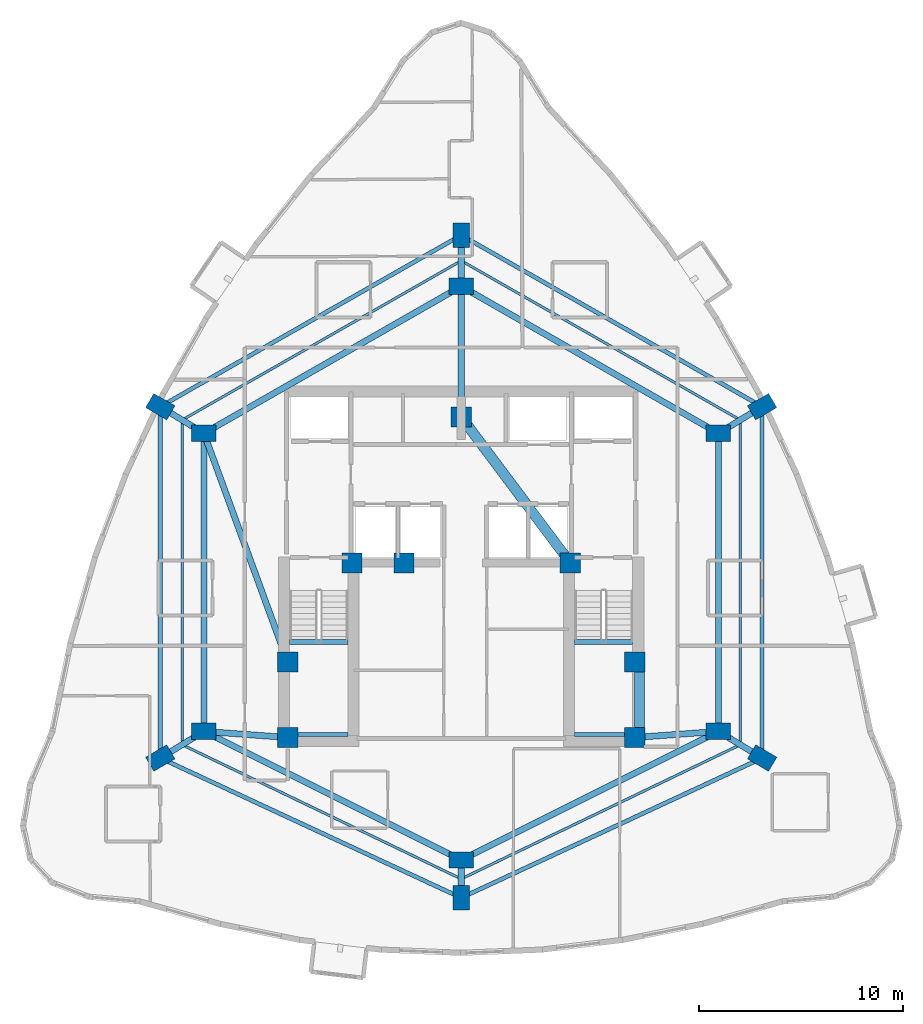
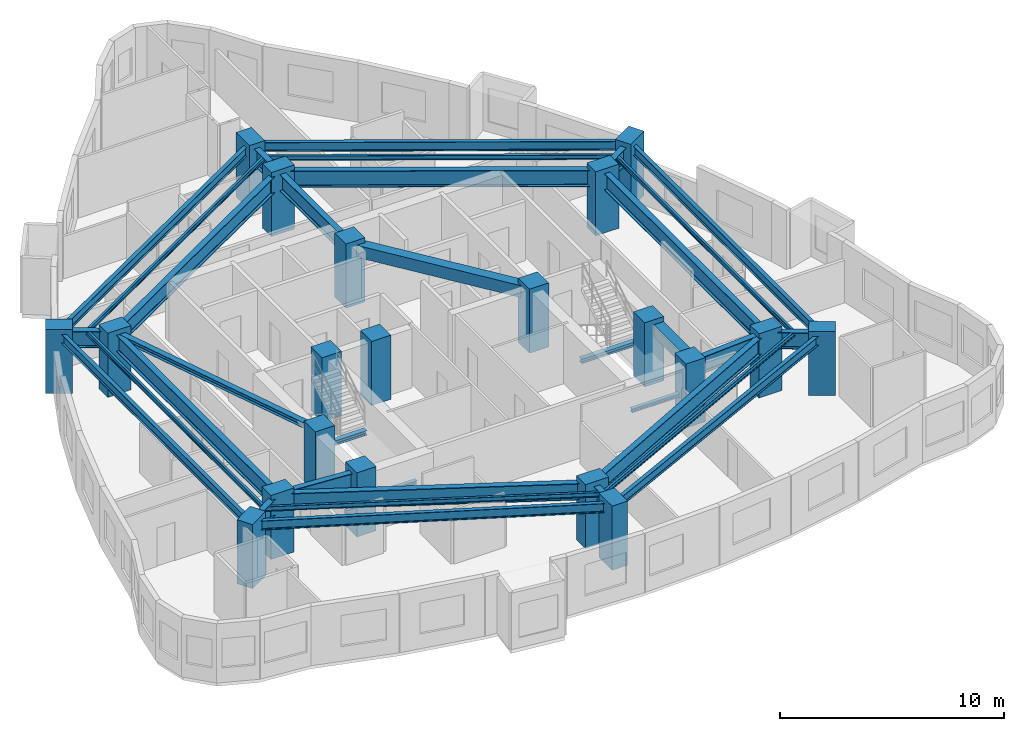
# One storey, part 1 of 11: 34 beams, 20 columns.
"""IFC4 building model written with IfcOpenShell, lengths in metres."""

import ifcopenshell
import ifcopenshell.guid

model = None  # the IFC model being written
_history = None  # IfcOwnerHistory: only IFC2X3 demands one
_inside = {}  # id of a spatial element -> (the spatial element, [elements in it])
_under = {}  # id of a project, library or spatial element -> (it, [spatial elements below it])
_declared = {}  # id of a project -> (the project, [libraries it declares])
_typed = {}  # id of a type object -> (the type object, [elements of that type])
_made_of = {}  # id of a material, layer set ... -> (it, [elements and type objects made of it])


def new_model(schema):
    """Start an empty IFC model of exactly this schema.

    Asked for "IFC4X3", IfcOpenShell would pick the latest addendum, in which some entities
    have other attributes; the version numbers below select the first issue.
    IFC2X3 requires an IfcOwnerHistory on every rooted entity: one is made here for all.
    """
    global model, _history
    if schema == "IFC4X3":
        model = ifcopenshell.file(schema_version=(4, 3, 0, 0))
    else:
        model = ifcopenshell.file(schema=schema)
    _inside.clear()
    _under.clear()
    _declared.clear()
    _typed.clear()
    _made_of.clear()
    _history = None
    if model.schema == "IFC2X3":
        org = make("IfcOrganization", Name="unknown")
        user = make(
            "IfcPersonAndOrganization",
            ThePerson=make("IfcPerson", FamilyName="unknown"),
            TheOrganization=org,
        )
        app = make(
            "IfcApplication",
            ApplicationDeveloper=org,
            Version="unknown",
            ApplicationFullName="unknown",
            ApplicationIdentifier="unknown",
        )
        _history = make(
            "IfcOwnerHistory",
            OwningUser=user,
            OwningApplication=app,
            ChangeAction="ADDED",
            CreationDate=0,
        )
    return model


def make(cls, **values):
    """One entity of the class cls with the attributes given. An attribute that is None is left unset."""
    return model.create_entity(
        cls, **{name: value for name, value in values.items() if value is not None}
    )


def rooted(cls, **values):
    """An entity with a GlobalId (a new one), such as an element, a storey or a relation."""
    return make(cls, GlobalId=ifcopenshell.guid.new(), OwnerHistory=_history, **values)


def si_unit(unit_type, name, prefix=None):
    """IfcSIUnit, for example si_unit("LENGTHUNIT", "METRE", prefix="MILLI")."""
    return make("IfcSIUnit", UnitType=unit_type, Prefix=prefix, Name=name)


def assignment(units):
    """IfcUnitAssignment: the units of a project."""
    return None if units is None else make("IfcUnitAssignment", Units=units)


def point(xyz):
    """IfcCartesianPoint."""
    return None if xyz is None else make("IfcCartesianPoint", Coordinates=xyz)


def direction(xyz):
    """IfcDirection."""
    return None if xyz is None else make("IfcDirection", DirectionRatios=xyz)


def frame(location, z_axis=None, x_axis=None):
    """IfcAxis2Placement3D, a coordinate frame: its origin and axes. An axis left out is left unset."""
    return make(
        "IfcAxis2Placement3D",
        Location=point(location),
        Axis=direction(z_axis),
        RefDirection=direction(x_axis),
    )


def frame_2d(location, x_axis=None):
    """IfcAxis2Placement2D, a coordinate frame in the plane: its origin and x axis."""
    return make(
        "IfcAxis2Placement2D", Location=point(location), RefDirection=direction(x_axis)
    )


def origin():
    """The frame at (0, 0, 0) with its axes left unset."""
    return frame((0.0, 0.0, 0.0))


def origin_2d():
    """The frame at (0, 0) in the plane with its x axis left unset."""
    return frame_2d((0.0, 0.0))


def place(relative_to, where):
    """IfcLocalPlacement: puts the frame where relative to a parent placement (None: the world)."""
    return make(
        "IfcLocalPlacement", PlacementRelTo=relative_to, RelativePlacement=where
    )


def context(
    kind, dimensions, precision=None, world=None, true_north=None, identifier=None
):
    """IfcGeometricRepresentationContext, for example the 3D "Model" context."""
    return make(
        "IfcGeometricRepresentationContext",
        ContextIdentifier=identifier,
        ContextType=kind,
        CoordinateSpaceDimension=dimensions,
        Precision=precision,
        WorldCoordinateSystem=world,
        TrueNorth=true_north,
    )


def subcontext(parent, identifier, kind, view, scale=None):
    """IfcGeometricRepresentationSubContext, for example "Body" below "Model"."""
    return make(
        "IfcGeometricRepresentationSubContext",
        ContextIdentifier=identifier,
        ContextType=kind,
        ParentContext=parent,
        TargetScale=scale,
        TargetView=view,
    )


def project(units=None, contexts=None):
    """IfcProject with its units and contexts."""
    return rooted(
        "IfcProject",
        Name="project",
        RepresentationContexts=contexts,
        UnitsInContext=assignment(units),
    )


def spatial(cls, under=None, at=None, **own):
    """A site, building, storey or space (cls), placed at a placement, below another one or the project."""
    s = rooted(cls, ObjectPlacement=at, **own)
    if under is not None:
        _under.setdefault(under.id(), (under, []))[1].append(s)
    return s


def profile(cls, at=None, kind="AREA", **sizes):
    """A parametric profile (cls). Its sizes go by their IFC names, for example OverallWidth=200.0."""
    return make(cls, ProfileType=kind, Position=at, **sizes)


def rectangle(**sizes):
    """IfcRectangleProfileDef."""
    return profile("IfcRectangleProfileDef", **sizes)


def i_section(**sizes):
    """IfcIShapeProfileDef."""
    return profile("IfcIShapeProfileDef", **sizes)


def extrude(swept, where, along, depth):
    """IfcExtrudedAreaSolid: the profile swept, set in the frame where, extruded along a direction by depth."""
    return make(
        "IfcExtrudedAreaSolid",
        SweptArea=swept,
        Position=where,
        ExtrudedDirection=direction(along),
        Depth=depth,
    )


def shape(context_of_items, identifier, shape_type, items):
    """IfcShapeRepresentation: the items that make up one representation, for example the "Body"."""
    return make(
        "IfcShapeRepresentation",
        ContextOfItems=context_of_items,
        RepresentationIdentifier=identifier,
        RepresentationType=shape_type,
        Items=items,
    )


def material(Name=None, Category=None):
    """IfcMaterial."""
    return make("IfcMaterial", Name=Name, Category=Category)


def material_profile(
    of_material, cross_section, Name=None, Category=None, Priority=None
):
    """IfcMaterialProfile: a cross section and its material."""
    return make(
        "IfcMaterialProfile",
        Name=Name,
        Material=of_material,
        Profile=cross_section,
        Priority=Priority,
        Category=Category,
    )


def profile_set(profiles, Name=None, composite=None):
    """IfcMaterialProfileSet."""
    return make(
        "IfcMaterialProfileSet",
        Name=Name,
        MaterialProfiles=profiles,
        CompositeProfile=composite,
    )


def made_of(thing, what):
    """Note that an element or type object is made of a material, layer set ...; save() writes the relation."""
    if what is not None:
        _made_of.setdefault(what.id(), (what, []))[1].append(thing)
    return thing


def type_object(cls, material=None, **own):
    """A type object (cls), such as IfcWallType, which elements share."""
    return made_of(rooted(cls, **own), material)


def element(
    cls,
    number,
    at=None,
    inside=None,
    cuts=None,
    type_object=None,
    material=None,
    context=None,
    identifier="Body",
    shape_type=None,
    held_by="IfcProductDefinitionShape",
    body=None,
    shapes=None,
    **own,
):
    """One element of the class cls, such as IfcWall. Its Tag is "e" and its number.

    at: its placement. inside: the storey or other place that contains it. cuts: it is an
    opening in that element (IfcRelVoidsElement). A single representation is given by context,
    identifier, shape_type and body (its items); several are given by shapes. held_by: the class
    of the entity that holds the representations. save() writes the other relations.
    """
    e = rooted(cls, Tag="e%d" % number, ObjectPlacement=at, **own)
    if body is not None:
        shapes = [shape(context, identifier, shape_type, body)]
    if shapes is not None:
        e.Representation = make(held_by, Representations=shapes)
    if inside is not None:
        _inside.setdefault(inside.id(), (inside, []))[1].append(e)
    if cuts is not None:
        rooted(
            "IfcRelVoidsElement", RelatingBuildingElement=cuts, RelatedOpeningElement=e
        )
    if type_object is not None:
        _typed.setdefault(type_object.id(), (type_object, []))[1].append(e)
    return made_of(e, material)


def aggregate(whole, parts):
    """IfcRelAggregates: a whole, such as a stair, and the parts it consists of."""
    return rooted("IfcRelAggregates", RelatingObject=whole, RelatedObjects=parts)


def save(model, path):
    """Write the relations noted so far, then the file.

    IfcRelAggregates (storeys below a building ...), IfcRelContainedInSpatialStructure (elements
    in a storey), IfcRelDefinesByType, IfcRelAssociatesMaterial and IfcRelDeclares: one each for
    every whole, place, type object, material and project.
    """
    for whole, parts in _under.values():
        aggregate(whole, parts)
    for where, things in _inside.values():
        rooted(
            "IfcRelContainedInSpatialStructure",
            RelatedElements=things,
            RelatingStructure=where,
        )
    for kind, things in _typed.values():
        rooted("IfcRelDefinesByType", RelatedObjects=things, RelatingType=kind)
    for what, things in _made_of.values():
        rooted("IfcRelAssociatesMaterial", RelatedObjects=things, RelatingMaterial=what)
    for by, libraries in _declared.values():
        rooted("IfcRelDeclares", RelatingContext=by, RelatedDefinitions=libraries)
    model.write(path)


model = new_model("IFC4")

# Units and contexts
model_context = context("Model", 3, precision=1e-05, world=origin(), true_north=direction((0.0, 1.0)))
body_context = subcontext(model_context, "Body", "Model", "MODEL_VIEW")
ifc_project = project(units=[si_unit("LENGTHUNIT", "METRE"), si_unit("AREAUNIT", "SQUARE_METRE"), si_unit("VOLUMEUNIT", "CUBIC_METRE"), si_unit("PLANEANGLEUNIT", "RADIAN"), si_unit("MASSUNIT", "GRAM", prefix="KILO")], contexts=[model_context])

# Site, building, storey
site_placement = place(None, origin())
site = spatial("IfcSite", under=ifc_project, at=site_placement, CompositionType="ELEMENT")
building_placement = place(site_placement, origin())
building = spatial("IfcBuilding", under=site, at=building_placement, Name="Miruveldt Soraemaru", CompositionType="ELEMENT")
storey_placement = place(building_placement, frame((0.0, 0.0, 152.89990234375)))
storey = spatial("IfcBuildingStorey", under=building, at=storey_placement, Name="L42", CompositionType="ELEMENT", Elevation=152.89990234375)

# Columns
ifc_material_1 = material(Name="Concrete C60/75 (60 MPa)", Category="concrete")
ifc_material_profile_1 = material_profile(ifc_material_1, rectangle(XDim=1.0, YDim=1.0, at=origin_2d()), Name="Concrete C60/75 (60 MPa)", Category="concrete")
ifc_profile_set_1 = profile_set([ifc_material_profile_1], Name="Concrete C60/75 (60 MPa)")
column_type_1 = type_object("IfcColumnType", Name="COL-CORE-1000", PredefinedType="COLUMN", material=ifc_profile_set_1)
for number, where, z_axis, x_axis, name in (
    (1, (35.5, 35.5, 0.0), (0.0, 0.0, 1.0), (1.0, 0.0, 0.0), "L42 Structural Column CC1"),
    (2, (38.64990234375, 44.050048828125, 0.0), (0.0, 0.0, 1.0), (1.0, 0.0, 0.0), "L42 Structural Column CC2"),
    (3, (52.5, 35.5, 0.0), (0.0, 0.0, 1.0), (1.0, 0.0, 0.0), "L42 Structural Column CC3"),
    (4, (52.5, 39.199951171875, 0.0), (0.0, 0.0, 1.0), (1.0, 0.0, 0.0), "L42 Structural Column CC4"),
    (5, (49.35009765625, 44.050048828125, 0.0), (0.0, 0.0, 1.0), (1.0, 0.0, 0.0), "L42 Structural Column CC5"),
    (6, (44.0, 51.199951171875, 0.0), (0.0, 0.0, 1.0), (1.0, 0.0, 0.0), "L42 Structural Column CC6"),
    (7, (35.5, 39.199951171875, 0.0), (0.0, 0.0, 1.0), (1.0, 0.0, 0.0), "L42 Structural Column CC7"),
    (8, (41.199951171875, 44.050048828125, 0.0), (0.0, 0.0, 1.0), (1.0, 0.0, 0.0), "L42 Structural Column CC8"),
):
    element("IfcColumn", number, at=place(storey_placement, frame(where, z_axis=z_axis, x_axis=x_axis)), inside=storey, type_object=column_type_1, Name=name, PredefinedType="COLUMN", context=body_context, shape_type="SweptSolid", body=[
        extrude(rectangle(XDim=1.0, YDim=1.0, at=origin_2d()), origin(), (0.0, 0.0, 1.0), 3.5),
    ])
ifc_material_2 = material(Name="Concrete C70/85 (70 MPa)", Category="concrete")
ifc_material_profile_2 = material_profile(ifc_material_2, rectangle(XDim=1.199951171875, YDim=0.800048828125, at=origin_2d()), Name="Concrete C70/85 (70 MPa)", Category="concrete")
ifc_profile_set_2 = profile_set([ifc_material_profile_2], Name="Concrete C70/85 (70 MPa)")
column_type_2 = type_object("IfcColumnType", Name="COL-TW-Z2", PredefinedType="COLUMN", material=ifc_profile_set_2)
for number, where, z_axis, x_axis, name in (
    (9, (44.0, 57.60009765625, 0.0), (0.0, 0.0, 1.0), (1.0, 0.0, 0.0), "L42 Structural Column IR01"),
    (10, (56.60009765625, 50.39990234375, 0.0), (0.0, 0.0, 1.0), (1.0, 0.0, 0.0), "L42 Structural Column IR02"),
    (11, (56.60009765625, 35.800048828125, 0.0), (0.0, 0.0, 1.0), (1.0, 0.0, 0.0), "L42 Structural Column IR03"),
    (12, (44.0, 29.5, 0.0), (0.0, 0.0, 1.0), (1.0, 0.0, 0.0), "L42 Structural Column IR04"),
    (13, (31.39990234375, 35.800048828125, 0.0), (0.0, 0.0, 1.0), (1.0, 0.0, 0.0), "L42 Structural Column IR05"),
    (14, (31.39990234375, 50.39990234375, 0.0), (0.0, 0.0, 1.0), (1.0, 0.0, 0.0), "L42 Structural Column IR06"),
    (15, (44.0, 60.10595703125, 0.0), (0.0, 0.0, 1.0), (0.0, 1.0, 0.0), "L42 Structural Column Z2P01"),
    (16, (58.739990234375, 51.705078125, 0.0), (0.0, 0.0, 1.0), (0.866025403784, 0.5, 0.0), "L42 Structural Column Z2P02"),
    (17, (58.739990234375, 34.4951171875, 0.0), (0.0, 0.0, 1.0), (-0.860742027004, 0.50904141575, 0.0), "L42 Structural Column Z2P03"),
    (18, (44.0, 27.64697265625, 0.0), (0.0, 0.0, 1.0), (0.0, 1.0, 0.0), "L42 Structural Column Z2P04"),
    (19, (29.260009765625, 34.4951171875, 0.0), (0.0, 0.0, 1.0), (0.860742027004, 0.50904141575, 0.0), "L42 Structural Column Z2P05"),
    (20, (29.260009765625, 51.705078125, 0.0), (0.0, 0.0, 1.0), (-0.866025403784, 0.5, 0.0), "L42 Structural Column Z2P06"),
):
    element("IfcColumn", number, at=place(storey_placement, frame(where, z_axis=z_axis, x_axis=x_axis)), inside=storey, type_object=column_type_2, Name=name, PredefinedType="COLUMN", context=body_context, shape_type="SweptSolid", body=[
        extrude(rectangle(XDim=1.199951171875, YDim=0.800048828125, at=origin_2d()), origin(), (0.0, 0.0, 1.0), 3.5),
    ])

# Beams
ifc_material_3 = material(Name="Steel SM355 (355 MPa)", Category="steel")
ifc_material_profile_3 = material_profile(ifc_material_3, i_section(OverallWidth=0.300048828125, OverallDepth=0.300048828125, WebThickness=0.010009765625, FlangeThickness=0.014892578125, FilletRadius=0.01806640625, at=origin_2d()), Name="Steel SM355 (355 MPa)", Category="steel")
ifc_profile_set_3 = profile_set([ifc_material_profile_3], Name="Steel SM355 (355 MPa)")
beam_type_1 = type_object("IfcBeamType", Name="BM-LNT-H300", PredefinedType="LINTEL", material=ifc_profile_set_3)
beam_1_placement = place(storey_placement, frame((31.39990234375, 50.39990234375, 3.085205078125), z_axis=(0.343770424598, -0.939053723262, 0.0), x_axis=(0.939053723262, 0.343770424598, 0.0)))
element("IfcBeam", 21, at=beam_1_placement, inside=storey, type_object=beam_type_1, Name="L42 West Lobby Lintel", PredefinedType="LINTEL", context=body_context, shape_type="SweptSolid", body=[
    extrude(i_section(OverallWidth=0.300048828125, OverallDepth=0.300048828125, WebThickness=0.010009765625, FlangeThickness=0.014892578125, FilletRadius=0.01806640625, at=origin_2d()), origin(), (0.0, 0.0, 1.0), 11.9267578125),
])
ifc_material_4 = material(Name="Concrete C50/60 (50 MPa)", Category="concrete")
ifc_material_profile_4 = material_profile(ifc_material_4, rectangle(XDim=0.5, YDim=0.64990234375, at=origin_2d()), Name="Concrete C50/60 (50 MPa)", Category="concrete")
ifc_profile_set_4 = profile_set([ifc_material_profile_4], Name="Concrete C50/60 (50 MPa)")
beam_type_2 = type_object("IfcBeamType", Name="BM-RC-500x650", PredefinedType="BEAM", material=ifc_profile_set_4)
beam_2_placement = place(storey_placement, frame((52.72998046875, 35.5, 2.91015625), z_axis=(0.0, 1.0, 0.0), x_axis=(-1.0, 0.0, 0.0)))
element("IfcBeam", 22, at=beam_2_placement, inside=storey, type_object=beam_type_2, Name="L42 Core Tie Beam 3", PredefinedType="BEAM", context=body_context, shape_type="SweptSolid", body=[
    extrude(rectangle(XDim=0.5, YDim=0.64990234375, at=origin_2d()), origin(), (0.0, 0.0, 1.0), 3.699951171875),
])
beam_3_placement = place(storey_placement, frame((49.35009765625, 44.050048828125, 2.91015625), z_axis=(-0.599116023999, 0.800662219533, 0.0), x_axis=(-0.800662219533, -0.599116023999, 0.0)))
element("IfcBeam", 23, at=beam_3_placement, inside=storey, type_object=beam_type_2, Name="L42 Core Tie Beam 5", PredefinedType="BEAM", context=body_context, shape_type="SweptSolid", body=[
    extrude(rectangle(XDim=0.5, YDim=0.64990234375, at=origin_2d()), origin(), (0.0, 0.0, 1.0), 8.929931640625),
])
ifc_material_profile_5 = material_profile(ifc_material_3, i_section(OverallWidth=0.125, OverallDepth=0.25, WebThickness=0.006103515625, FlangeThickness=0.009033203125, FilletRadius=0.011962890625, at=origin_2d()), Name="Steel SM355 (355 MPa)", Category="steel")
ifc_profile_set_5 = profile_set([ifc_material_profile_5], Name="Steel SM355 (355 MPa)")
beam_type_3 = type_object("IfcBeamType", Name="BM-ST-H250", PredefinedType="JOIST", material=ifc_profile_set_5)
beam_4_placement = place(storey_placement, frame((44.0, 58.85302734375, 3.110107421875), z_axis=(0.868539859756, -0.495619321672, 0.0), x_axis=(0.495619321672, 0.868539859756, 0.0)))
element("IfcBeam", 24, at=beam_4_placement, inside=storey, type_object=beam_type_3, Name="L42 Outer Bay Floor Joist 1", PredefinedType="JOIST", context=body_context, shape_type="SweptSolid", body=[
    extrude(i_section(OverallWidth=0.125, OverallDepth=0.25, WebThickness=0.006103515625, FlangeThickness=0.009033203125, FilletRadius=0.011962890625, at=origin_2d()), origin(), (0.0, 0.0, 1.0), 15.739013671875),
])
beam_5_placement = place(storey_placement, frame((57.669921875, 51.052490234375, 3.110107421875), z_axis=(0.0, -1.0, 0.0), x_axis=(1.0, 0.0, 0.0)))
element("IfcBeam", 25, at=beam_5_placement, inside=storey, type_object=beam_type_3, Name="L42 Outer Bay Floor Joist 2", PredefinedType="JOIST", context=body_context, shape_type="SweptSolid", body=[
    extrude(i_section(OverallWidth=0.125, OverallDepth=0.25, WebThickness=0.006103515625, FlangeThickness=0.009033203125, FilletRadius=0.011962890625, at=origin_2d()), origin(), (0.0, 0.0, 1.0), 15.905029296875),
])
for number, where, z_axis, x_axis, name in (
    (26, (57.669921875, 35.1474609375, 3.110107421875), (-0.901203586802, -0.433396002676, 0.0), (0.433396002676, -0.901203586802, 0.0), "L42 Outer Bay Floor Joist 3"),
    (27, (44.0, 28.573486328125, 3.110107421875), (-0.901203586802, 0.433396002676, 0.0), (-0.433396002676, -0.901203586802, 0.0), "L42 Outer Bay Floor Joist 4"),
):
    element("IfcBeam", number, at=place(storey_placement, frame(where, z_axis=z_axis, x_axis=x_axis)), inside=storey, type_object=beam_type_3, Name=name, PredefinedType="JOIST", context=body_context, shape_type="SweptSolid", body=[
        extrude(i_section(OverallWidth=0.125, OverallDepth=0.25, WebThickness=0.006103515625, FlangeThickness=0.009033203125, FilletRadius=0.011962890625, at=origin_2d()), origin(), (0.0, 0.0, 1.0), 15.16845703125),
    ])
beam_6_placement = place(storey_placement, frame((30.330078125, 35.1474609375, 3.110107421875), z_axis=(0.0, 1.0, 0.0), x_axis=(-1.0, 0.0, 0.0)))
element("IfcBeam", 28, at=beam_6_placement, inside=storey, type_object=beam_type_3, Name="L42 Outer Bay Floor Joist 5", PredefinedType="JOIST", context=body_context, shape_type="SweptSolid", body=[
    extrude(i_section(OverallWidth=0.125, OverallDepth=0.25, WebThickness=0.006103515625, FlangeThickness=0.009033203125, FilletRadius=0.011962890625, at=origin_2d()), origin(), (0.0, 0.0, 1.0), 15.905029296875),
])
beam_7_placement = place(storey_placement, frame((30.330078125, 51.052490234375, 3.110107421875), z_axis=(0.868539859756, 0.495619321672, 0.0), x_axis=(-0.495619321672, 0.868539859756, 0.0)))
element("IfcBeam", 29, at=beam_7_placement, inside=storey, type_object=beam_type_3, Name="L42 Outer Bay Floor Joist 6", PredefinedType="JOIST", context=body_context, shape_type="SweptSolid", body=[
    extrude(i_section(OverallWidth=0.125, OverallDepth=0.25, WebThickness=0.006103515625, FlangeThickness=0.009033203125, FilletRadius=0.011962890625, at=origin_2d()), origin(), (0.0, 0.0, 1.0), 15.739013671875),
])
ifc_material_profile_6 = material_profile(ifc_material_3, i_section(OverallWidth=0.199951171875, OverallDepth=0.5, WebThickness=0.010009765625, FlangeThickness=0.01611328125, FilletRadius=0.02001953125, at=origin_2d()), Name="Steel SM355 (355 MPa)", Category="steel")
ifc_profile_set_6 = profile_set([ifc_material_profile_6], Name="Steel SM355 (355 MPa)")
beam_type_4 = type_object("IfcBeamType", Name="BM-ST-H500", PredefinedType="SPANDREL", material=ifc_profile_set_6)
beam_8_placement = place(storey_placement, frame((44.0, 60.10595703125, 2.985107421875), z_axis=(0.86880048516, -0.495162313778, 0.0), x_axis=(0.495162313778, 0.86880048516, 0.0)))
element("IfcBeam", 30, at=beam_8_placement, inside=storey, type_object=beam_type_4, Name="L42 Zone-2 Spandrel Beam 1", PredefinedType="SPANDREL", context=body_context, shape_type="SweptSolid", body=[
    extrude(i_section(OverallWidth=0.199951171875, OverallDepth=0.5, WebThickness=0.010009765625, FlangeThickness=0.01611328125, FilletRadius=0.02001953125, at=origin_2d()), origin(), (0.0, 0.0, 1.0), 16.9658203125),
])
beam_9_placement = place(storey_placement, frame((58.739990234375, 51.705078125, 2.985107421875), z_axis=(0.0, -1.0, 0.0), x_axis=(1.0, 0.0, 0.0)))
element("IfcBeam", 31, at=beam_9_placement, inside=storey, type_object=beam_type_4, Name="L42 Zone-2 Spandrel Beam 2", PredefinedType="SPANDREL", context=body_context, shape_type="SweptSolid", body=[
    extrude(i_section(OverallWidth=0.199951171875, OverallDepth=0.5, WebThickness=0.010009765625, FlangeThickness=0.01611328125, FilletRadius=0.02001953125, at=origin_2d()), origin(), (0.0, 0.0, 1.0), 17.2099609375),
])
for number, where, z_axis, x_axis, name in (
    (32, (58.739990234375, 34.4951171875, 2.985107421875), (-0.906901362829, -0.421342993414, 0.0), (0.421342993414, -0.906901362829, 0.0), "L42 Zone-2 Spandrel Beam 3"),
    (33, (44.0, 27.64697265625, 2.985107421875), (-0.906901362829, 0.421342993414, 0.0), (-0.421342993414, -0.906901362829, 0.0), "L42 Zone-2 Spandrel Beam 4"),
):
    element("IfcBeam", number, at=place(storey_placement, frame(where, z_axis=z_axis, x_axis=x_axis)), inside=storey, type_object=beam_type_4, Name=name, PredefinedType="SPANDREL", context=body_context, shape_type="SweptSolid", body=[
        extrude(i_section(OverallWidth=0.199951171875, OverallDepth=0.5, WebThickness=0.010009765625, FlangeThickness=0.01611328125, FilletRadius=0.02001953125, at=origin_2d()), origin(), (0.0, 0.0, 1.0), 16.253173828125),
    ])
beam_10_placement = place(storey_placement, frame((29.260009765625, 34.4951171875, 2.985107421875), z_axis=(0.0, 1.0, 0.0), x_axis=(-1.0, 0.0, 0.0)))
element("IfcBeam", 34, at=beam_10_placement, inside=storey, type_object=beam_type_4, Name="L42 Zone-2 Spandrel Beam 5", PredefinedType="SPANDREL", context=body_context, shape_type="SweptSolid", body=[
    extrude(i_section(OverallWidth=0.199951171875, OverallDepth=0.5, WebThickness=0.010009765625, FlangeThickness=0.01611328125, FilletRadius=0.02001953125, at=origin_2d()), origin(), (0.0, 0.0, 1.0), 17.2099609375),
])
beam_11_placement = place(storey_placement, frame((29.260009765625, 51.705078125, 2.985107421875), z_axis=(0.86880048516, 0.495162313778, 0.0), x_axis=(-0.495162313778, 0.86880048516, 0.0)))
element("IfcBeam", 35, at=beam_11_placement, inside=storey, type_object=beam_type_4, Name="L42 Zone-2 Spandrel Beam 6", PredefinedType="SPANDREL", context=body_context, shape_type="SweptSolid", body=[
    extrude(i_section(OverallWidth=0.199951171875, OverallDepth=0.5, WebThickness=0.010009765625, FlangeThickness=0.01611328125, FilletRadius=0.02001953125, at=origin_2d()), origin(), (0.0, 0.0, 1.0), 16.9658203125),
])
ifc_material_5 = material(Name="Steel S460 (460 MPa)", Category="steel")
ifc_material_profile_7 = material_profile(ifc_material_5, i_section(OverallWidth=0.300048828125, OverallDepth=0.89990234375, WebThickness=0.01611328125, FlangeThickness=0.028076171875, FilletRadius=0.028076171875, at=origin_2d()), Name="Steel S460 (460 MPa)", Category="steel")
ifc_profile_set_7 = profile_set([ifc_material_profile_7], Name="Steel S460 (460 MPa)")
beam_type_5 = type_object("IfcBeamType", Name="BM-ST-H900", PredefinedType="BEAM", material=ifc_profile_set_7)
beam_12_placement = place(storey_placement, frame((44.0, 57.60009765625, 2.78515625), z_axis=(0.868239001029, -0.496146185203, 0.0), x_axis=(0.496146185203, 0.868239001029, 0.0)))
element("IfcBeam", 36, at=beam_12_placement, inside=storey, type_object=beam_type_5, Name="L42 Inner Ring Girder 1", PredefinedType="BEAM", context=body_context, shape_type="SweptSolid", body=[
    extrude(i_section(OverallWidth=0.300048828125, OverallDepth=0.89990234375, WebThickness=0.01611328125, FlangeThickness=0.028076171875, FilletRadius=0.028076171875, at=origin_2d()), origin(), (0.0, 0.0, 1.0), 14.51220703125),
])
beam_13_placement = place(storey_placement, frame((44.0, 51.199951171875, 2.78515625), z_axis=(0.0, 1.0, 0.0), x_axis=(-1.0, 0.0, 0.0)))
element("IfcBeam", 37, at=beam_13_placement, inside=storey, type_object=beam_type_5, Name="L42 Core-to-Inner Radial Girder 1", PredefinedType="BEAM", context=body_context, shape_type="SweptSolid", body=[
    extrude(i_section(OverallWidth=0.300048828125, OverallDepth=0.89990234375, WebThickness=0.01611328125, FlangeThickness=0.028076171875, FilletRadius=0.028076171875, at=origin_2d()), origin(), (0.0, 0.0, 1.0), 6.400146484375),
])
beam_14_placement = place(storey_placement, frame((56.60009765625, 50.39990234375, 2.78515625), z_axis=(0.0, -1.0, 0.0), x_axis=(1.0, 0.0, 0.0)))
element("IfcBeam", 38, at=beam_14_placement, inside=storey, type_object=beam_type_5, Name="L42 Inner Ring Girder 2", PredefinedType="BEAM", context=body_context, shape_type="SweptSolid", body=[
    extrude(i_section(OverallWidth=0.300048828125, OverallDepth=0.89990234375, WebThickness=0.01611328125, FlangeThickness=0.028076171875, FilletRadius=0.028076171875, at=origin_2d()), origin(), (0.0, 0.0, 1.0), 14.599853515625),
])
beam_15_placement = place(storey_placement, frame((56.60009765625, 35.800048828125, 2.78515625), z_axis=(-0.894427191, -0.4472135955, 0.0), x_axis=(0.4472135955, -0.894427191, 0.0)))
element("IfcBeam", 39, at=beam_15_placement, inside=storey, type_object=beam_type_5, Name="L42 Inner Ring Girder 3", PredefinedType="BEAM", context=body_context, shape_type="SweptSolid", body=[
    extrude(i_section(OverallWidth=0.300048828125, OverallDepth=0.89990234375, WebThickness=0.01611328125, FlangeThickness=0.028076171875, FilletRadius=0.028076171875, at=origin_2d()), origin(), (0.0, 0.0, 1.0), 14.08740234375),
])
beam_16_placement = place(storey_placement, frame((52.5, 35.5, 2.78515625), z_axis=(0.997332985605, 0.072985723431, 0.0), x_axis=(-0.072985723431, 0.997332985605, 0.0)))
element("IfcBeam", 40, at=beam_16_placement, inside=storey, type_object=beam_type_5, Name="L42 Core-to-Inner Radial Girder 3", PredefinedType="BEAM", context=body_context, shape_type="SweptSolid", body=[
    extrude(i_section(OverallWidth=0.300048828125, OverallDepth=0.89990234375, WebThickness=0.01611328125, FlangeThickness=0.028076171875, FilletRadius=0.028076171875, at=origin_2d()), origin(), (0.0, 0.0, 1.0), 4.111083984375),
])
beam_17_placement = place(storey_placement, frame((44.0, 29.5, 2.78515625), z_axis=(-0.894427191, 0.4472135955, 0.0), x_axis=(-0.4472135955, -0.894427191, 0.0)))
element("IfcBeam", 41, at=beam_17_placement, inside=storey, type_object=beam_type_5, Name="L42 Inner Ring Girder 4", PredefinedType="BEAM", context=body_context, shape_type="SweptSolid", body=[
    extrude(i_section(OverallWidth=0.300048828125, OverallDepth=0.89990234375, WebThickness=0.01611328125, FlangeThickness=0.028076171875, FilletRadius=0.028076171875, at=origin_2d()), origin(), (0.0, 0.0, 1.0), 14.08740234375),
])
beam_18_placement = place(storey_placement, frame((31.39990234375, 35.800048828125, 2.78515625), z_axis=(0.0, 1.0, 0.0), x_axis=(-1.0, 0.0, 0.0)))
element("IfcBeam", 42, at=beam_18_placement, inside=storey, type_object=beam_type_5, Name="L42 Inner Ring Girder 5", PredefinedType="BEAM", context=body_context, shape_type="SweptSolid", body=[
    extrude(i_section(OverallWidth=0.300048828125, OverallDepth=0.89990234375, WebThickness=0.01611328125, FlangeThickness=0.028076171875, FilletRadius=0.028076171875, at=origin_2d()), origin(), (0.0, 0.0, 1.0), 14.599853515625),
])
beam_19_placement = place(storey_placement, frame((35.5, 35.5, 2.78515625), z_axis=(-0.997332985605, 0.072985723431, 0.0), x_axis=(-0.072985723431, -0.997332985605, 0.0)))
element("IfcBeam", 43, at=beam_19_placement, inside=storey, type_object=beam_type_5, Name="L42 Core-to-Inner Radial Girder 5", PredefinedType="BEAM", context=body_context, shape_type="SweptSolid", body=[
    extrude(i_section(OverallWidth=0.300048828125, OverallDepth=0.89990234375, WebThickness=0.01611328125, FlangeThickness=0.028076171875, FilletRadius=0.028076171875, at=origin_2d()), origin(), (0.0, 0.0, 1.0), 4.111083984375),
])
beam_20_placement = place(storey_placement, frame((31.39990234375, 50.39990234375, 2.78515625), z_axis=(0.868239001029, 0.496146185203, 0.0), x_axis=(-0.496146185203, 0.868239001029, 0.0)))
element("IfcBeam", 44, at=beam_20_placement, inside=storey, type_object=beam_type_5, Name="L42 Inner Ring Girder 6", PredefinedType="BEAM", context=body_context, shape_type="SweptSolid", body=[
    extrude(i_section(OverallWidth=0.300048828125, OverallDepth=0.89990234375, WebThickness=0.01611328125, FlangeThickness=0.028076171875, FilletRadius=0.028076171875, at=origin_2d()), origin(), (0.0, 0.0, 1.0), 14.51220703125),
])
beam_21_placement = place(storey_placement, frame((44.0, 57.60009765625, 2.78515625), z_axis=(0.0, 1.0, 0.0), x_axis=(-1.0, 0.0, 0.0)))
element("IfcBeam", 45, at=beam_21_placement, inside=storey, type_object=beam_type_5, Name="L42 Zone-2 Radial Girder 1", PredefinedType="BEAM", context=body_context, shape_type="SweptSolid", body=[
    extrude(i_section(OverallWidth=0.300048828125, OverallDepth=0.89990234375, WebThickness=0.01611328125, FlangeThickness=0.028076171875, FilletRadius=0.028076171875, at=origin_2d()), origin(), (0.0, 0.0, 1.0), 2.505859375),
])
beam_22_placement = place(storey_placement, frame((56.60009765625, 50.39990234375, 2.78515625), z_axis=(0.85373175529, 0.520713059188, 0.0), x_axis=(-0.520713059188, 0.85373175529, 0.0)))
element("IfcBeam", 46, at=beam_22_placement, inside=storey, type_object=beam_type_5, Name="L42 Zone-2 Radial Girder 2", PredefinedType="BEAM", context=body_context, shape_type="SweptSolid", body=[
    extrude(i_section(OverallWidth=0.300048828125, OverallDepth=0.89990234375, WebThickness=0.01611328125, FlangeThickness=0.028076171875, FilletRadius=0.028076171875, at=origin_2d()), origin(), (0.0, 0.0, 1.0), 2.506591796875),
])
beam_23_placement = place(storey_placement, frame((56.60009765625, 35.800048828125, 2.78515625), z_axis=(0.853775054686, -0.5206420613, 0.0), x_axis=(0.5206420613, 0.853775054686, 0.0)))
element("IfcBeam", 47, at=beam_23_placement, inside=storey, type_object=beam_type_5, Name="L42 Zone-2 Radial Girder 3", PredefinedType="BEAM", context=body_context, shape_type="SweptSolid", body=[
    extrude(i_section(OverallWidth=0.300048828125, OverallDepth=0.89990234375, WebThickness=0.01611328125, FlangeThickness=0.028076171875, FilletRadius=0.028076171875, at=origin_2d()), origin(), (0.0, 0.0, 1.0), 2.50634765625),
])
beam_24_placement = place(storey_placement, frame((44.0, 29.5, 2.78515625), z_axis=(0.0, -1.0, 0.0), x_axis=(1.0, 0.0, 0.0)))
element("IfcBeam", 48, at=beam_24_placement, inside=storey, type_object=beam_type_5, Name="L42 Zone-2 Radial Girder 4", PredefinedType="BEAM", context=body_context, shape_type="SweptSolid", body=[
    extrude(i_section(OverallWidth=0.300048828125, OverallDepth=0.89990234375, WebThickness=0.01611328125, FlangeThickness=0.028076171875, FilletRadius=0.028076171875, at=origin_2d()), origin(), (0.0, 0.0, 1.0), 1.85302734375),
])
beam_25_placement = place(storey_placement, frame((31.39990234375, 35.800048828125, 2.78515625), z_axis=(-0.853775054686, -0.5206420613, 0.0), x_axis=(0.5206420613, -0.853775054686, 0.0)))
element("IfcBeam", 49, at=beam_25_placement, inside=storey, type_object=beam_type_5, Name="L42 Zone-2 Radial Girder 5", PredefinedType="BEAM", context=body_context, shape_type="SweptSolid", body=[
    extrude(i_section(OverallWidth=0.300048828125, OverallDepth=0.89990234375, WebThickness=0.01611328125, FlangeThickness=0.028076171875, FilletRadius=0.028076171875, at=origin_2d()), origin(), (0.0, 0.0, 1.0), 2.50634765625),
])
beam_26_placement = place(storey_placement, frame((31.39990234375, 50.39990234375, 2.78515625), z_axis=(-0.85373175529, 0.520713059188, 0.0), x_axis=(-0.520713059188, -0.85373175529, 0.0)))
element("IfcBeam", 50, at=beam_26_placement, inside=storey, type_object=beam_type_5, Name="L42 Zone-2 Radial Girder 6", PredefinedType="BEAM", context=body_context, shape_type="SweptSolid", body=[
    extrude(i_section(OverallWidth=0.300048828125, OverallDepth=0.89990234375, WebThickness=0.01611328125, FlangeThickness=0.028076171875, FilletRadius=0.028076171875, at=origin_2d()), origin(), (0.0, 0.0, 1.0), 2.506591796875),
])
ifc_material_profile_8 = material_profile(ifc_material_3, i_section(OverallWidth=0.199951171875, OverallDepth=0.199951171875, WebThickness=0.008056640625, FlangeThickness=0.011962890625, FilletRadius=0.012939453125, at=origin_2d()), Name="Steel SM355 (355 MPa)", Category="steel")
ifc_profile_set_8 = profile_set([ifc_material_profile_8], Name="Steel SM355 (355 MPa)")
beam_type_6 = type_object("IfcBeamType", Name="BM-ST-LND200", PredefinedType="BEAM", material=ifc_profile_set_8)
for number, where, z_axis, x_axis, name in (
    (51, (35.60009765625, 35.64990234375, 1.4501953125), (1.0, 0.0, 0.0), (0.0, 1.0, 0.0), "L42 ST1 Landing End Beam 1B"),
    (52, (49.550048828125, 35.64990234375, 1.4501953125), (1.0, 0.0, 0.0), (0.0, 1.0, 0.0), "L42 ST2 Landing End Beam 1B"),
):
    element("IfcBeam", number, at=place(storey_placement, frame(where, z_axis=z_axis, x_axis=x_axis)), inside=storey, type_object=beam_type_6, Name=name, PredefinedType="BEAM", context=body_context, shape_type="SweptSolid", body=[
        extrude(i_section(OverallWidth=0.199951171875, OverallDepth=0.199951171875, WebThickness=0.008056640625, FlangeThickness=0.011962890625, FilletRadius=0.012939453125, at=origin_2d()), origin(), (0.0, 0.0, 1.0), 2.849853515625),
    ])
ifc_material_profile_9 = material_profile(ifc_material_3, i_section(OverallWidth=0.25, OverallDepth=0.25, WebThickness=0.009033203125, FlangeThickness=0.013916015625, FilletRadius=0.01611328125, at=origin_2d()), Name="Steel SM355 (355 MPa)", Category="steel")
ifc_profile_set_9 = profile_set([ifc_material_profile_9], Name="Steel SM355 (355 MPa)")
beam_type_7 = type_object("IfcBeamType", Name="BM-ST-LND250", PredefinedType="BEAM", material=ifc_profile_set_9)
for number, where, z_axis, x_axis, name in (
    (53, (35.60009765625, 40.179931640625, 1.425048828125), (1.0, 0.0, 0.0), (0.0, 1.0, 0.0), "L42 ST1 Landing Support Beam 1A"),
    (54, (49.550048828125, 40.179931640625, 1.425048828125), (1.0, 0.0, 0.0), (0.0, 1.0, 0.0), "L42 ST2 Landing Support Beam 1A"),
):
    element("IfcBeam", number, at=place(storey_placement, frame(where, z_axis=z_axis, x_axis=x_axis)), inside=storey, type_object=beam_type_7, Name=name, PredefinedType="BEAM", context=body_context, shape_type="SweptSolid", body=[
        extrude(i_section(OverallWidth=0.25, OverallDepth=0.25, WebThickness=0.009033203125, FlangeThickness=0.013916015625, FilletRadius=0.01611328125, at=origin_2d()), origin(), (0.0, 0.0, 1.0), 2.849853515625),
    ])

save(model, "model.ifc")
